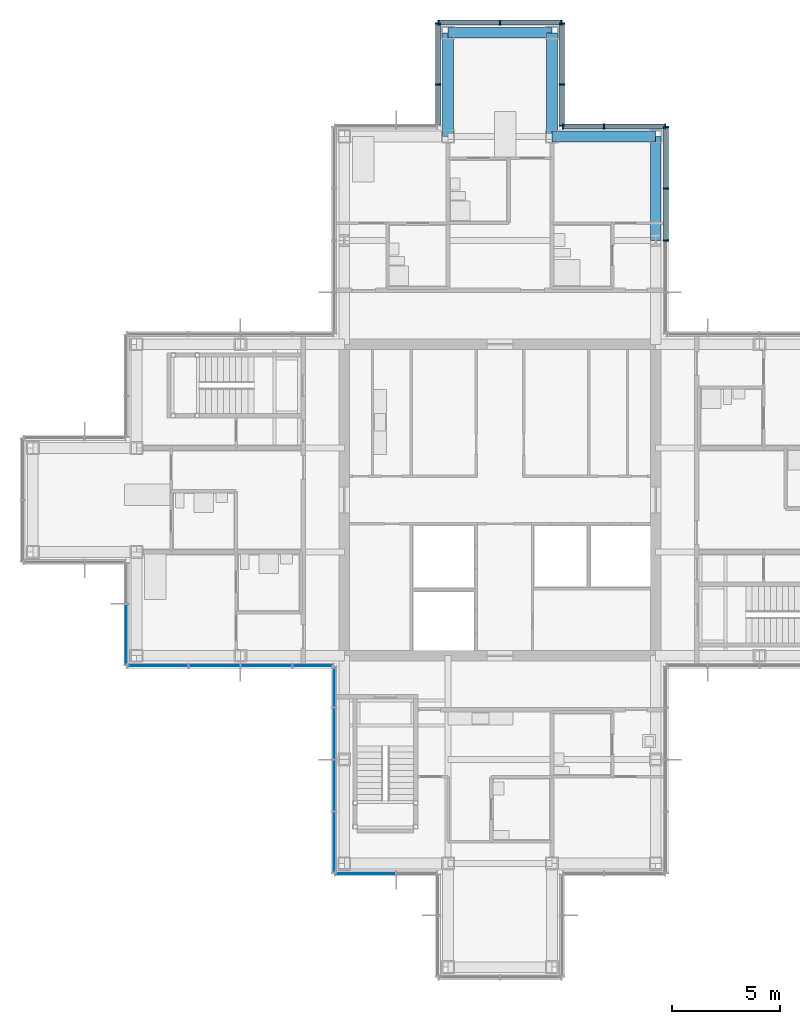
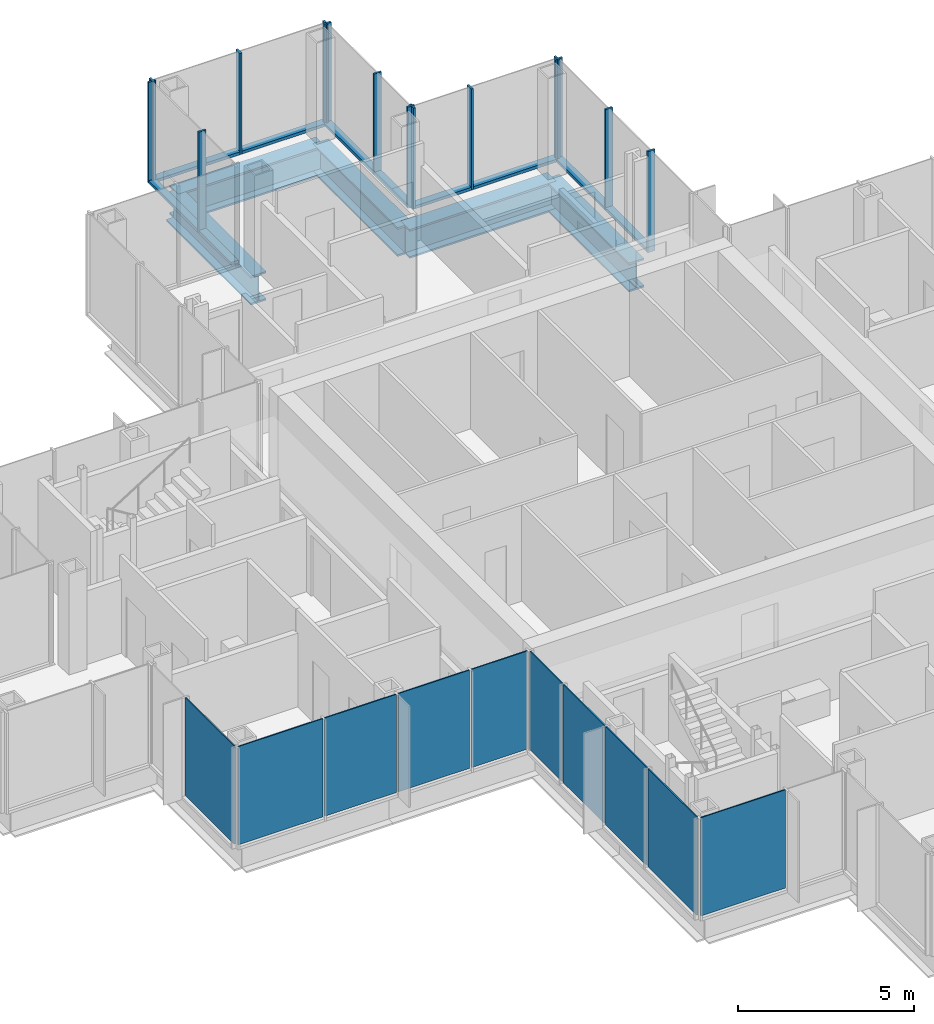
# One storey, part 9 of 17: 24 members, 10 plates, 5 beams, 9 elements without a shape of their own.
"""IFC4 building model written with IfcOpenShell, lengths in metres."""

from ifc_helpers import new_model, si_unit, direction, frame, origin, origin_2d, place, context, subcontext, project, spatial, rectangle, i_section, extrude, material, layer, layer_set, material_profile, profile_set, type_object, element, aggregate, save


model = new_model("IFC4")

# Units and contexts
model_context = context("Model", 3, precision=1e-05, world=origin(), true_north=direction((0.0, 1.0)))
body_context = subcontext(model_context, "Body", "Model", "MODEL_VIEW")
ifc_project = project(units=[si_unit("LENGTHUNIT", "METRE"), si_unit("AREAUNIT", "SQUARE_METRE"), si_unit("VOLUMEUNIT", "CUBIC_METRE"), si_unit("PLANEANGLEUNIT", "RADIAN"), si_unit("MASSUNIT", "GRAM", prefix="KILO")], contexts=[model_context])

# Site, building, storey
site_placement = place(None, origin())
site = spatial("IfcSite", under=ifc_project, at=site_placement, CompositionType="ELEMENT")
building_placement = place(site_placement, origin())
building = spatial("IfcBuilding", under=site, at=building_placement, Name="Kvirike Care Tower", CompositionType="ELEMENT")
storey_placement = place(building_placement, frame((0.0, 0.0, 151.5)))
storey = spatial("IfcBuildingStorey", under=building, at=storey_placement, Name="L41", CompositionType="ELEMENT", Elevation=151.5)

# Curtain wall, members
ifc_material_1 = material(Name="Anodised aluminium stick system", Category="aluminium")
curtain_wall_type = type_object("IfcCurtainWallType", Name="CW-C STICK CURTAIN WALL", PredefinedType="NOTDEFINED", material=ifc_material_1)
curtain_wall_1_placement = place(storey_placement, origin())
curtain_wall_1 = element("IfcCurtainWall", 1, at=curtain_wall_1_placement, inside=storey, type_object=curtain_wall_type, Name="Curtain wall L41 face 8", PredefinedType="NOTDEFINED")
ifc_material_2 = material(Name="Bronze anodised aluminium mullion", Category="aluminium")
ifc_material_profile_1 = material_profile(ifc_material_2, rectangle(XDim=0.06494140625, YDim=0.239990234375, at=origin_2d()), Name="CW-C MULLION 65x240")
ifc_profile_set_1 = profile_set([ifc_material_profile_1], Name="Bronze anodised aluminium mullion")
member_type_1 = type_object("IfcMemberType", Name="CW-C MULLION 65x240", PredefinedType="MULLION", material=ifc_profile_set_1)
member_1_placement = place(storey_placement, frame((29.27001953125, 48.0, 0.0), z_axis=(0.0, 0.0, 1.0), x_axis=(0.0, 1.0, 0.0)))
member_1 = element("IfcMember", 2, at=member_1_placement, type_object=member_type_1, Name="CW-C mullion L41 face 8.3", PredefinedType="MULLION", context=body_context, shape_type="SweptSolid", body=[
    extrude(rectangle(XDim=0.06494140625, YDim=0.239990234375, at=origin_2d()), origin(), (0.0, 0.0, 1.0), 3.5),
])
member_2_placement = place(storey_placement, frame((29.27001953125, 50.39990234375, 0.0), z_axis=(0.0, 0.0, 1.0), x_axis=(0.0, 1.0, 0.0)))
member_2 = element("IfcMember", 3, at=member_2_placement, type_object=member_type_1, Name="CW-C mullion L41 face 8.4", PredefinedType="MULLION", context=body_context, shape_type="SweptSolid", body=[
    extrude(rectangle(XDim=0.06494140625, YDim=0.239990234375, at=origin_2d()), origin(), (0.0, 0.0, 1.0), 3.5),
])
member_3_placement = place(storey_placement, frame((29.27001953125, 53.237548828125, 0.0), z_axis=(0.0, 0.0, 1.0), x_axis=(0.0, 1.0, 0.0)))
member_3 = element("IfcMember", 4, at=member_3_placement, type_object=member_type_1, Name="CW-C mullion L41 face 8.5", PredefinedType="MULLION", context=body_context, shape_type="SweptSolid", body=[
    extrude(rectangle(XDim=0.06494140625, YDim=0.239990234375, at=origin_2d()), origin(), (0.0, 0.0, 1.0), 3.5),
])

curtain_wall_2_placement = place(storey_placement, origin())
curtain_wall_2 = element("IfcCurtainWall", 5, at=curtain_wall_2_placement, inside=storey, type_object=curtain_wall_type, Name="Curtain wall L41 face 9", PredefinedType="NOTDEFINED")
member_4_placement = place(storey_placement, frame((29.237548828125, 53.27001953125, 0.0), z_axis=(0.0, 0.0, 1.0), x_axis=(-1.0, 0.0, 0.0)))
member_4 = element("IfcMember", 6, at=member_4_placement, type_object=member_type_1, Name="CW-C mullion L41 face 9.1", PredefinedType="MULLION", context=body_context, shape_type="SweptSolid", body=[
    extrude(rectangle(XDim=0.06494140625, YDim=0.239990234375, at=origin_2d()), origin(), (0.0, 0.0, 1.0), 3.5),
])
member_5_placement = place(storey_placement, frame((26.39990234375, 53.27001953125, 0.0), z_axis=(0.0, 0.0, 1.0), x_axis=(-1.0, 0.0, 0.0)))
member_5 = element("IfcMember", 7, at=member_5_placement, type_object=member_type_1, Name="CW-C mullion L41 face 9.2", PredefinedType="MULLION", context=body_context, shape_type="SweptSolid", body=[
    extrude(rectangle(XDim=0.06494140625, YDim=0.239990234375, at=origin_2d()), origin(), (0.0, 0.0, 1.0), 3.5),
])
member_6_placement = place(storey_placement, frame((24.50244140625, 53.27001953125, 0.0), z_axis=(0.0, 0.0, 1.0), x_axis=(-1.0, 0.0, 0.0)))
member_6 = element("IfcMember", 8, at=member_6_placement, type_object=member_type_1, Name="CW-C mullion L41 face 9.3", PredefinedType="MULLION", context=body_context, shape_type="SweptSolid", body=[
    extrude(rectangle(XDim=0.06494140625, YDim=0.239990234375, at=origin_2d()), origin(), (0.0, 0.0, 1.0), 3.5),
])

curtain_wall_3_placement = place(storey_placement, origin())
curtain_wall_3 = element("IfcCurtainWall", 9, at=curtain_wall_3_placement, inside=storey, type_object=curtain_wall_type, Name="Curtain wall L41 face 10", PredefinedType="NOTDEFINED")
member_7_placement = place(storey_placement, frame((24.469970703125, 53.302490234375, 0.0), z_axis=(0.0, 0.0, 1.0), x_axis=(0.0, 1.0, 0.0)))
member_7 = element("IfcMember", 10, at=member_7_placement, type_object=member_type_1, Name="CW-C mullion L41 face 10.1", PredefinedType="MULLION", context=body_context, shape_type="SweptSolid", body=[
    extrude(rectangle(XDim=0.06494140625, YDim=0.239990234375, at=origin_2d()), origin(), (0.0, 0.0, 1.0), 3.5),
])
member_8_placement = place(storey_placement, frame((24.469970703125, 55.199951171875, 0.0), z_axis=(0.0, 0.0, 1.0), x_axis=(0.0, 1.0, 0.0)))
member_8 = element("IfcMember", 11, at=member_8_placement, type_object=member_type_1, Name="CW-C mullion L41 face 10.2", PredefinedType="MULLION", context=body_context, shape_type="SweptSolid", body=[
    extrude(rectangle(XDim=0.06494140625, YDim=0.239990234375, at=origin_2d()), origin(), (0.0, 0.0, 1.0), 3.5),
])
member_9_placement = place(storey_placement, frame((24.469970703125, 58.03759765625, 0.0), z_axis=(0.0, 0.0, 1.0), x_axis=(0.0, 1.0, 0.0)))
member_9 = element("IfcMember", 12, at=member_9_placement, type_object=member_type_1, Name="CW-C mullion L41 face 10.3", PredefinedType="MULLION", context=body_context, shape_type="SweptSolid", body=[
    extrude(rectangle(XDim=0.06494140625, YDim=0.239990234375, at=origin_2d()), origin(), (0.0, 0.0, 1.0), 3.5),
])

curtain_wall_4_placement = place(storey_placement, origin())
curtain_wall_4 = element("IfcCurtainWall", 13, at=curtain_wall_4_placement, inside=storey, type_object=curtain_wall_type, Name="Curtain wall L41 face 11", PredefinedType="NOTDEFINED")
member_10_placement = place(storey_placement, frame((24.4375, 58.070068359375, 0.0), z_axis=(0.0, 0.0, 1.0), x_axis=(-1.0, 0.0, 0.0)))
member_10 = element("IfcMember", 14, at=member_10_placement, type_object=member_type_1, Name="CW-C mullion L41 face 11.1", PredefinedType="MULLION", context=body_context, shape_type="SweptSolid", body=[
    extrude(rectangle(XDim=0.06494140625, YDim=0.239990234375, at=origin_2d()), origin(), (0.0, 0.0, 1.0), 3.5),
])
member_11_placement = place(storey_placement, frame((21.60009765625, 58.070068359375, 0.0), z_axis=(0.0, 0.0, 1.0), x_axis=(-1.0, 0.0, 0.0)))
member_11 = element("IfcMember", 15, at=member_11_placement, type_object=member_type_1, Name="CW-C mullion L41 face 11.2", PredefinedType="MULLION", context=body_context, shape_type="SweptSolid", body=[
    extrude(rectangle(XDim=0.06494140625, YDim=0.239990234375, at=origin_2d()), origin(), (0.0, 0.0, 1.0), 3.5),
])
member_12_placement = place(storey_placement, frame((18.762451171875, 58.070068359375, 0.0), z_axis=(0.0, 0.0, 1.0), x_axis=(-1.0, 0.0, 0.0)))
member_12 = element("IfcMember", 16, at=member_12_placement, type_object=member_type_1, Name="CW-C mullion L41 face 11.3", PredefinedType="MULLION", context=body_context, shape_type="SweptSolid", body=[
    extrude(rectangle(XDim=0.06494140625, YDim=0.239990234375, at=origin_2d()), origin(), (0.0, 0.0, 1.0), 3.5),
])

curtain_wall_5_placement = place(storey_placement, origin())
curtain_wall_5 = element("IfcCurtainWall", 17, at=curtain_wall_5_placement, inside=storey, type_object=curtain_wall_type, Name="Curtain wall L41 face 12", PredefinedType="NOTDEFINED")
member_13_placement = place(storey_placement, frame((18.72998046875, 58.03759765625, 0.0), z_axis=(0.0, 0.0, 1.0), x_axis=(0.0, -1.0, 0.0)))
member_13 = element("IfcMember", 18, at=member_13_placement, type_object=member_type_1, Name="CW-C mullion L41 face 12.1", PredefinedType="MULLION", context=body_context, shape_type="SweptSolid", body=[
    extrude(rectangle(XDim=0.06494140625, YDim=0.239990234375, at=origin_2d()), origin(), (0.0, 0.0, 1.0), 3.5),
])
member_14_placement = place(storey_placement, frame((18.72998046875, 55.199951171875, 0.0), z_axis=(0.0, 0.0, 1.0), x_axis=(0.0, -1.0, 0.0)))
member_14 = element("IfcMember", 19, at=member_14_placement, type_object=member_type_1, Name="CW-C mullion L41 face 12.2", PredefinedType="MULLION", context=body_context, shape_type="SweptSolid", body=[
    extrude(rectangle(XDim=0.06494140625, YDim=0.239990234375, at=origin_2d()), origin(), (0.0, 0.0, 1.0), 3.5),
])

# Member
ifc_material_3 = material(Name="Bronze anodised aluminium transom", Category="aluminium")
ifc_material_profile_2 = material_profile(ifc_material_3, rectangle(XDim=0.239990234375, YDim=0.10009765625, at=origin_2d()), Name="CW-C TRANSOM 240x100")
ifc_profile_set_2 = profile_set([ifc_material_profile_2], Name="Bronze anodised aluminium transom")
member_type_2 = type_object("IfcMemberType", Name="CW-C TRANSOM 240x100", PredefinedType="USERDEFINED", material=ifc_profile_set_2)
member_15_placement = place(storey_placement, frame((29.27001953125, 48.032470703125, 0.050048828125), z_axis=(0.0, 1.0, 0.0), x_axis=(-1.0, 0.0, 0.0)))
member_15 = element("IfcMember", 20, at=member_15_placement, type_object=member_type_2, Name="CW-C sill transom L41 face 8.3", ObjectType="TRANSOM", PredefinedType="USERDEFINED", context=body_context, shape_type="SweptSolid", body=[
    extrude(rectangle(XDim=0.239990234375, YDim=0.10009765625, at=origin_2d()), origin(), (0.0, 0.0, 1.0), 2.3349609375),
])

member_16_placement = place(storey_placement, frame((29.27001953125, 50.4326171875, 0.050048828125), z_axis=(0.0, 1.0, 0.0), x_axis=(-1.0, 0.0, 0.0)))
member_16 = element("IfcMember", 21, at=member_16_placement, type_object=member_type_2, Name="CW-C sill transom L41 face 8.4", ObjectType="TRANSOM", PredefinedType="USERDEFINED", context=body_context, shape_type="SweptSolid", body=[
    extrude(rectangle(XDim=0.239990234375, YDim=0.10009765625, at=origin_2d()), origin(), (0.0, 0.0, 1.0), 2.7724609375),
])

aggregate(curtain_wall_1, [member_1, member_2, member_3, member_15, member_16])

member_17_placement = place(storey_placement, frame((29.205078125, 53.27001953125, 0.050048828125), z_axis=(-1.0, 0.0, 0.0), x_axis=(0.0, -1.0, 0.0)))
member_17 = element("IfcMember", 22, at=member_17_placement, type_object=member_type_2, Name="CW-C sill transom L41 face 9.1", ObjectType="TRANSOM", PredefinedType="USERDEFINED", context=body_context, shape_type="SweptSolid", body=[
    extrude(rectangle(XDim=0.239990234375, YDim=0.10009765625, at=origin_2d()), origin(), (0.0, 0.0, 1.0), 2.7724609375),
])

member_18_placement = place(storey_placement, frame((26.367431640625, 53.27001953125, 0.050048828125), z_axis=(-1.0, 0.0, 0.0), x_axis=(0.0, -1.0, 0.0)))
member_18 = element("IfcMember", 23, at=member_18_placement, type_object=member_type_2, Name="CW-C sill transom L41 face 9.2", ObjectType="TRANSOM", PredefinedType="USERDEFINED", context=body_context, shape_type="SweptSolid", body=[
    extrude(rectangle(XDim=0.239990234375, YDim=0.10009765625, at=origin_2d()), origin(), (0.0, 0.0, 1.0), 1.83251953125),
])

aggregate(curtain_wall_2, [member_4, member_5, member_6, member_17, member_18])

member_19_placement = place(storey_placement, frame((24.469970703125, 53.3349609375, 0.050048828125), z_axis=(0.0, 1.0, 0.0), x_axis=(-1.0, 0.0, 0.0)))
member_19 = element("IfcMember", 24, at=member_19_placement, type_object=member_type_2, Name="CW-C sill transom L41 face 10.1", ObjectType="TRANSOM", PredefinedType="USERDEFINED", context=body_context, shape_type="SweptSolid", body=[
    extrude(rectangle(XDim=0.239990234375, YDim=0.10009765625, at=origin_2d()), origin(), (0.0, 0.0, 1.0), 1.83251953125),
])

member_20_placement = place(storey_placement, frame((24.469970703125, 55.232421875, 0.050048828125), z_axis=(0.0, 1.0, 0.0), x_axis=(-1.0, 0.0, 0.0)))
member_20 = element("IfcMember", 25, at=member_20_placement, type_object=member_type_2, Name="CW-C sill transom L41 face 10.2", ObjectType="TRANSOM", PredefinedType="USERDEFINED", context=body_context, shape_type="SweptSolid", body=[
    extrude(rectangle(XDim=0.239990234375, YDim=0.10009765625, at=origin_2d()), origin(), (0.0, 0.0, 1.0), 2.7724609375),
])

aggregate(curtain_wall_3, [member_7, member_8, member_9, member_19, member_20])

member_21_placement = place(storey_placement, frame((24.405029296875, 58.070068359375, 0.050048828125), z_axis=(-1.0, 0.0, 0.0), x_axis=(0.0, -1.0, 0.0)))
member_21 = element("IfcMember", 26, at=member_21_placement, type_object=member_type_2, Name="CW-C sill transom L41 face 11.1", ObjectType="TRANSOM", PredefinedType="USERDEFINED", context=body_context, shape_type="SweptSolid", body=[
    extrude(rectangle(XDim=0.239990234375, YDim=0.10009765625, at=origin_2d()), origin(), (0.0, 0.0, 1.0), 2.7724609375),
])

member_22_placement = place(storey_placement, frame((21.5673828125, 58.070068359375, 0.050048828125), z_axis=(-1.0, 0.0, 0.0), x_axis=(0.0, -1.0, 0.0)))
member_22 = element("IfcMember", 27, at=member_22_placement, type_object=member_type_2, Name="CW-C sill transom L41 face 11.2", ObjectType="TRANSOM", PredefinedType="USERDEFINED", context=body_context, shape_type="SweptSolid", body=[
    extrude(rectangle(XDim=0.239990234375, YDim=0.10009765625, at=origin_2d()), origin(), (0.0, 0.0, 1.0), 2.7724609375),
])

aggregate(curtain_wall_4, [member_10, member_11, member_12, member_21, member_22])

member_23_placement = place(storey_placement, frame((18.72998046875, 58.0048828125, 0.050048828125), z_axis=(0.0, -1.0, 0.0), x_axis=(1.0, 0.0, 0.0)))
member_23 = element("IfcMember", 28, at=member_23_placement, type_object=member_type_2, Name="CW-C sill transom L41 face 12.1", ObjectType="TRANSOM", PredefinedType="USERDEFINED", context=body_context, shape_type="SweptSolid", body=[
    extrude(rectangle(XDim=0.239990234375, YDim=0.10009765625, at=origin_2d()), origin(), (0.0, 0.0, 1.0), 2.7724609375),
])

member_24_placement = place(storey_placement, frame((18.72998046875, 55.16748046875, 0.050048828125), z_axis=(0.0, -1.0, 0.0), x_axis=(1.0, 0.0, 0.0)))
member_24 = element("IfcMember", 29, at=member_24_placement, type_object=member_type_2, Name="CW-C sill transom L41 face 12.2", ObjectType="TRANSOM", PredefinedType="USERDEFINED", context=body_context, shape_type="SweptSolid", body=[
    extrude(rectangle(XDim=0.239990234375, YDim=0.10009765625, at=origin_2d()), origin(), (0.0, 0.0, 1.0), 1.83251953125),
])

aggregate(curtain_wall_5, [member_13, member_14, member_23, member_24])

# Beams
ifc_material_4 = material(Name="Steel S355", Category="steel")
ifc_material_profile_3 = material_profile(ifc_material_4, i_section(OverallWidth=0.5, OverallDepth=1.0, WebThickness=0.030029296875, FlangeThickness=0.06005859375, at=origin_2d()), Name="PG 1000x500x30x60")
ifc_profile_set_3 = profile_set([ifc_material_profile_3], Name="Steel S355")
beam_type = type_object("IfcBeamType", Name="SPANDREL PG 1000x500x30x60", PredefinedType="SPANDREL", material=ifc_profile_set_3)
for number, where, z_axis, x_axis, name in (
    (30, (24.0, 52.800048828125, -0.669921875), (1.0, 0.0, 0.0), (0.0, 1.0, 0.0), "Spandrel M8-M9 L41"),
    (31, (19.199951171875, 57.60009765625, -0.669921875), (1.0, 0.0, 0.0), (0.0, 1.0, 0.0), "Spandrel N7-N8 L41"),
    (32, (19.199951171875, 52.800048828125, -0.669921875), (0.0, 1.0, 0.0), (-1.0, 0.0, 0.0), "Spandrel M7-N7 L41"),
    (33, (24.0, 52.800048828125, -0.669921875), (0.0, 1.0, 0.0), (-1.0, 0.0, 0.0), "Spandrel M8-N8 L41"),
    (34, (28.800048828125, 48.0, -0.669921875), (0.0, 1.0, 0.0), (-1.0, 0.0, 0.0), "Spandrel L9-M9 L41"),
):
    element("IfcBeam", number, at=place(storey_placement, frame(where, z_axis=z_axis, x_axis=x_axis)), inside=storey, type_object=beam_type, Name=name, PredefinedType="SPANDREL", context=body_context, shape_type="SweptSolid", body=[
        extrude(i_section(OverallWidth=0.5, OverallDepth=1.0, WebThickness=0.030029296875, FlangeThickness=0.06005859375, at=origin_2d()), origin(), (0.0, 0.0, 1.0), 4.800048828125),
    ])

# Curtain wall, plate
curtain_wall_6_placement = place(storey_placement, origin())
curtain_wall_6 = element("IfcCurtainWall", 35, at=curtain_wall_6_placement, inside=storey, type_object=curtain_wall_type, Name="Curtain wall L41 face 20", PredefinedType="NOTDEFINED")
ifc_material_5 = material(Name="Tinted double glazed unit", Category="glass")
ifc_layer = layer(ifc_material_5, 0.0400390625)
ifc_layer_set = layer_set([ifc_layer], Name="TINTED VISION PANEL 40")
plate_type = type_object("IfcPlateType", Name="TINTED VISION PANEL 40", PredefinedType="CURTAIN_PANEL", material=ifc_layer_set)
plate_1_placement = place(storey_placement, frame((4.330078125, 29.78125, 0.10009765625), z_axis=(0.0, 0.0, 1.0), x_axis=(0.0, -1.0, 0.0)))
plate_1 = element("IfcPlate", 36, at=plate_1_placement, type_object=plate_type, Name="CW-C panel L41 face 20.2", PredefinedType="CURTAIN_PANEL", context=body_context, shape_type="SweptSolid", body=[
    extrude(rectangle(XDim=2.7724609375, YDim=0.0400390625, at=origin_2d()), origin(), (0.0, 0.0, 1.0), 3.39990234375),
])
aggregate(curtain_wall_6, [plate_1])

# Curtain wall, plates
curtain_wall_7_placement = place(storey_placement, origin())
curtain_wall_7 = element("IfcCurtainWall", 37, at=curtain_wall_7_placement, inside=storey, type_object=curtain_wall_type, Name="Curtain wall L41 face 21", PredefinedType="NOTDEFINED")
plate_2_placement = place(storey_placement, frame((5.78125, 28.330078125, 0.10009765625), z_axis=(0.0, 0.0, 1.0), x_axis=(1.0, 0.0, 0.0)))
plate_2 = element("IfcPlate", 38, at=plate_2_placement, type_object=plate_type, Name="CW-C panel L41 face 21.1", PredefinedType="CURTAIN_PANEL", context=body_context, shape_type="SweptSolid", body=[
    extrude(rectangle(XDim=2.7724609375, YDim=0.0400390625, at=origin_2d()), origin(), (0.0, 0.0, 1.0), 3.39990234375),
])
plate_3_placement = place(storey_placement, frame((8.39990234375, 28.330078125, 0.10009765625), z_axis=(0.0, 0.0, 1.0), x_axis=(1.0, 0.0, 0.0)))
plate_3 = element("IfcPlate", 39, at=plate_3_placement, type_object=plate_type, Name="CW-C panel L41 face 21.2", PredefinedType="CURTAIN_PANEL", context=body_context, shape_type="SweptSolid", body=[
    extrude(rectangle(XDim=2.3349609375, YDim=0.0400390625, at=origin_2d()), origin(), (0.0, 0.0, 1.0), 3.39990234375),
])
plate_4_placement = place(storey_placement, frame((10.800048828125, 28.330078125, 0.10009765625), z_axis=(0.0, 0.0, 1.0), x_axis=(1.0, 0.0, 0.0)))
plate_4 = element("IfcPlate", 40, at=plate_4_placement, type_object=plate_type, Name="CW-C panel L41 face 21.3", PredefinedType="CURTAIN_PANEL", context=body_context, shape_type="SweptSolid", body=[
    extrude(rectangle(XDim=2.3349609375, YDim=0.0400390625, at=origin_2d()), origin(), (0.0, 0.0, 1.0), 3.39990234375),
])
plate_5_placement = place(storey_placement, frame((12.94873046875, 28.330078125, 0.10009765625), z_axis=(0.0, 0.0, 1.0), x_axis=(1.0, 0.0, 0.0)))
plate_5 = element("IfcPlate", 41, at=plate_5_placement, type_object=plate_type, Name="CW-C panel L41 face 21.4", PredefinedType="CURTAIN_PANEL", context=body_context, shape_type="SweptSolid", body=[
    extrude(rectangle(XDim=1.83251953125, YDim=0.0400390625, at=origin_2d()), origin(), (0.0, 0.0, 1.0), 3.39990234375),
])
aggregate(curtain_wall_7, [plate_2, plate_3, plate_4, plate_5])

curtain_wall_8_placement = place(storey_placement, origin())
curtain_wall_8 = element("IfcCurtainWall", 42, at=curtain_wall_8_placement, inside=storey, type_object=curtain_wall_type, Name="Curtain wall L41 face 22", PredefinedType="NOTDEFINED")
plate_6_placement = place(storey_placement, frame((13.929931640625, 27.3486328125, 0.10009765625), z_axis=(0.0, 0.0, 1.0), x_axis=(0.0, -1.0, 0.0)))
plate_6 = element("IfcPlate", 43, at=plate_6_placement, type_object=plate_type, Name="CW-C panel L41 face 22.1", PredefinedType="CURTAIN_PANEL", context=body_context, shape_type="SweptSolid", body=[
    extrude(rectangle(XDim=1.83251953125, YDim=0.0400390625, at=origin_2d()), origin(), (0.0, 0.0, 1.0), 3.39990234375),
])
plate_7_placement = place(storey_placement, frame((13.929931640625, 25.199951171875, 0.10009765625), z_axis=(0.0, 0.0, 1.0), x_axis=(0.0, -1.0, 0.0)))
plate_7 = element("IfcPlate", 44, at=plate_7_placement, type_object=plate_type, Name="CW-C panel L41 face 22.2", PredefinedType="CURTAIN_PANEL", context=body_context, shape_type="SweptSolid", body=[
    extrude(rectangle(XDim=2.3349609375, YDim=0.0400390625, at=origin_2d()), origin(), (0.0, 0.0, 1.0), 3.39990234375),
])
plate_8_placement = place(storey_placement, frame((13.929931640625, 22.800048828125, 0.10009765625), z_axis=(0.0, 0.0, 1.0), x_axis=(0.0, -1.0, 0.0)))
plate_8 = element("IfcPlate", 45, at=plate_8_placement, type_object=plate_type, Name="CW-C panel L41 face 22.3", PredefinedType="CURTAIN_PANEL", context=body_context, shape_type="SweptSolid", body=[
    extrude(rectangle(XDim=2.3349609375, YDim=0.0400390625, at=origin_2d()), origin(), (0.0, 0.0, 1.0), 3.39990234375),
])
plate_9_placement = place(storey_placement, frame((13.929931640625, 20.18115234375, 0.10009765625), z_axis=(0.0, 0.0, 1.0), x_axis=(0.0, -1.0, 0.0)))
plate_9 = element("IfcPlate", 46, at=plate_9_placement, type_object=plate_type, Name="CW-C panel L41 face 22.4", PredefinedType="CURTAIN_PANEL", context=body_context, shape_type="SweptSolid", body=[
    extrude(rectangle(XDim=2.7724609375, YDim=0.0400390625, at=origin_2d()), origin(), (0.0, 0.0, 1.0), 3.39990234375),
])
aggregate(curtain_wall_8, [plate_6, plate_7, plate_8, plate_9])

# Curtain wall, plate
curtain_wall_9_placement = place(storey_placement, origin())
curtain_wall_9 = element("IfcCurtainWall", 47, at=curtain_wall_9_placement, inside=storey, type_object=curtain_wall_type, Name="Curtain wall L41 face 23", PredefinedType="NOTDEFINED")
plate_10_placement = place(storey_placement, frame((15.38134765625, 18.72998046875, 0.10009765625), z_axis=(0.0, 0.0, 1.0), x_axis=(1.0, 0.0, 0.0)))
plate_10 = element("IfcPlate", 48, at=plate_10_placement, type_object=plate_type, Name="CW-C panel L41 face 23.1", PredefinedType="CURTAIN_PANEL", context=body_context, shape_type="SweptSolid", body=[
    extrude(rectangle(XDim=2.7724609375, YDim=0.0400390625, at=origin_2d()), origin(), (0.0, 0.0, 1.0), 3.39990234375),
])
aggregate(curtain_wall_9, [plate_10])

save(model, "model.ifc")
